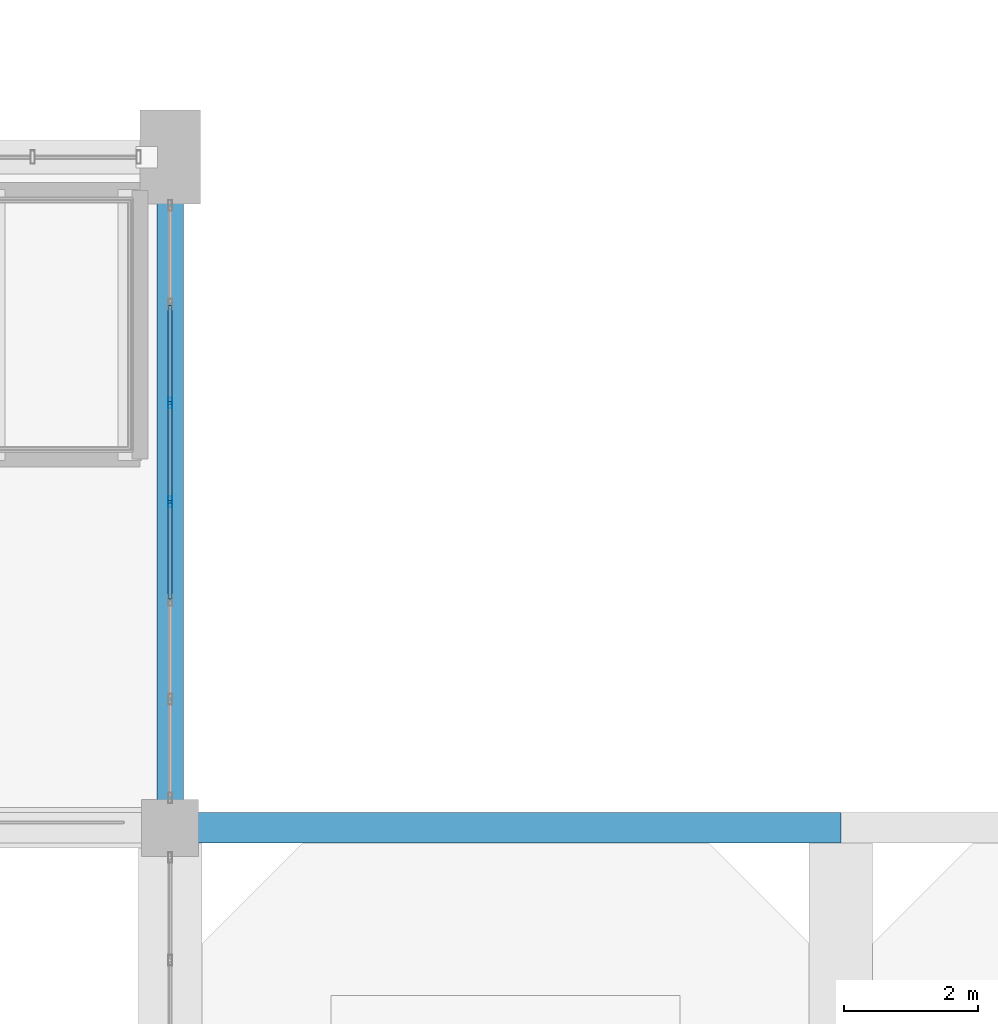
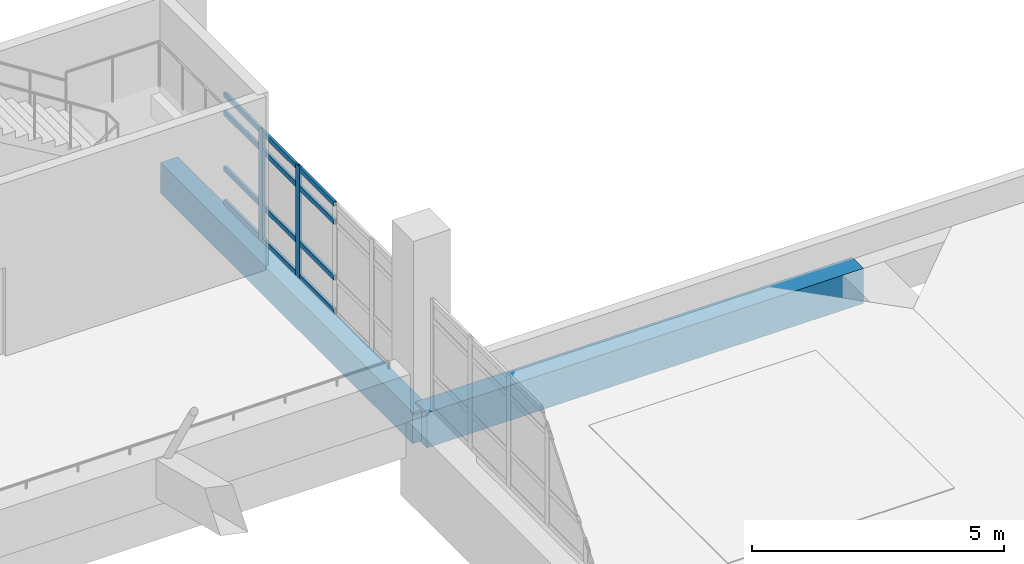
# One storey, part 58 of 161: 14 members, 2 beams, 1 element without a shape of its own.
"""IFC4 building model written with IfcOpenShell, lengths in metres."""

from ifc_helpers import new_model, si_unit, direction, frame, origin, origin_2d, place, context, subcontext, project, spatial, rectangle, hollow_rectangle, extrude, material, layer, layer_set, material_profile, profile_set, type_object, element, aggregate, save


model = new_model("IFC4")

# Units and contexts
model_context = context("Model", 3, precision=1e-05, world=origin(), true_north=direction((0.0, 1.0)))
body_context = subcontext(model_context, "Body", "Model", "MODEL_VIEW")
ifc_project = project(units=[si_unit("LENGTHUNIT", "METRE"), si_unit("AREAUNIT", "SQUARE_METRE"), si_unit("VOLUMEUNIT", "CUBIC_METRE"), si_unit("PLANEANGLEUNIT", "RADIAN"), si_unit("MASSUNIT", "GRAM", prefix="KILO")], contexts=[model_context])

# Site, building, storey
site_placement = place(None, origin())
site = spatial("IfcSite", under=ifc_project, at=site_placement, CompositionType="ELEMENT")
building_placement = place(site_placement, origin())
building = spatial("IfcBuilding", under=site, at=building_placement, Name="Mersad Railyard Sports Hall", CompositionType="ELEMENT")
storey_placement = place(building_placement, frame((0.0, 0.0, 4.800048828125)))
storey = spatial("IfcBuildingStorey", under=building, at=storey_placement, Name="L01", CompositionType="ELEMENT", Elevation=4.800048828125)

# Curtain wall, members
ifc_material_1 = material(Name="Aluminium 6063-T6", Category="aluminium")
ifc_layer = layer(ifc_material_1, 0.159912109375)
ifc_layer_set = layer_set([ifc_layer], Name="Aluminium 6063-T6")
curtain_wall_type = type_object("IfcCurtainWallType", Name="ARC-CW-CW03", PredefinedType="USERDEFINED", material=ifc_layer_set)
curtain_wall_placement = place(storey_placement, origin())
curtain_wall = element("IfcCurtainWall", 1, at=curtain_wall_placement, inside=storey, type_object=curtain_wall_type, Name="Curtain wall CW03-0028", ObjectType="CURTAIN WALL", PredefinedType="USERDEFINED")
ifc_material_profile_1 = material_profile(ifc_material_1, hollow_rectangle(XDim=0.06005859375, YDim=0.159912109375, WallThickness=0.00390625, at=origin_2d()), Name="AL MULLION 60x160x4")
ifc_profile_set_1 = profile_set([ifc_material_profile_1], Name="Aluminium 6063-T6")
member_type_1 = type_object("IfcMemberType", Name="ARC-CW-MUL01", PredefinedType="MULLION", material=ifc_profile_set_1)
member_1_placement = place(storey_placement, frame((91.0, 49.8349609375, -0.02001953125), z_axis=(0.0, 0.0, 1.0), x_axis=(1.0, 0.0, 0.0)))
member_1 = element("IfcMember", 2, at=member_1_placement, type_object=member_type_1, Name="CW03 Mullion 3", PredefinedType="MULLION", context=body_context, shape_type="SweptSolid", body=[
    extrude(hollow_rectangle(XDim=0.06005859375, YDim=0.159912109375, WallThickness=0.00390625, at=origin_2d()), origin(), (0.0, 0.0, 1.0), 2.719970703125),
])
member_2_placement = place(storey_placement, frame((91.0, 48.362548828125, -0.02001953125), z_axis=(0.0, 0.0, 1.0), x_axis=(1.0, 0.0, 0.0)))
member_2 = element("IfcMember", 3, at=member_2_placement, type_object=member_type_1, Name="CW03 Mullion 4", PredefinedType="MULLION", context=body_context, shape_type="SweptSolid", body=[
    extrude(hollow_rectangle(XDim=0.06005859375, YDim=0.159912109375, WallThickness=0.00390625, at=origin_2d()), origin(), (0.0, 0.0, 1.0), 2.719970703125),
])
ifc_material_profile_2 = material_profile(ifc_material_1, hollow_rectangle(XDim=0.06005859375, YDim=0.1201171875, WallThickness=0.00390625, at=origin_2d()), Name="AL TRANSOM 60x120x4")
ifc_profile_set_2 = profile_set([ifc_material_profile_2], Name="Aluminium 6063-T6")
member_type_2 = type_object("IfcMemberType", Name="ARC-CW-TRN01", PredefinedType="USERDEFINED", material=ifc_profile_set_2)
member_3_placement = place(storey_placement, frame((91.0, 51.28759765625, 0.0400390625), z_axis=(0.0, -1.0, 0.0), x_axis=(1.0, 0.0, 0.0)))
member_3 = element("IfcMember", 4, at=member_3_placement, type_object=member_type_2, Name="CW03 Transom 1-2", ObjectType="TRANSOM", PredefinedType="USERDEFINED", context=body_context, shape_type="SweptSolid", body=[
    extrude(hollow_rectangle(XDim=0.06005859375, YDim=0.1201171875, WallThickness=0.00390625, at=origin_2d()), origin(), (0.0, 0.0, 1.0), 1.4326171875),
])
member_4_placement = place(storey_placement, frame((91.0, 49.81494140625, 0.0400390625), z_axis=(0.0, -1.0, 0.0), x_axis=(1.0, 0.0, 0.0)))
member_4 = element("IfcMember", 5, at=member_4_placement, type_object=member_type_2, Name="CW03 Transom 1-3", ObjectType="TRANSOM", PredefinedType="USERDEFINED", context=body_context, shape_type="SweptSolid", body=[
    extrude(hollow_rectangle(XDim=0.06005859375, YDim=0.1201171875, WallThickness=0.00390625, at=origin_2d()), origin(), (0.0, 0.0, 1.0), 1.432373046875),
])
member_5_placement = place(storey_placement, frame((91.0, 48.342529296875, 0.0400390625), z_axis=(0.0, -1.0, 0.0), x_axis=(1.0, 0.0, 0.0)))
member_5 = element("IfcMember", 6, at=member_5_placement, type_object=member_type_2, Name="CW03 Transom 1-4", ObjectType="TRANSOM", PredefinedType="USERDEFINED", context=body_context, shape_type="SweptSolid", body=[
    extrude(hollow_rectangle(XDim=0.06005859375, YDim=0.1201171875, WallThickness=0.00390625, at=origin_2d()), origin(), (0.0, 0.0, 1.0), 1.4326171875),
])
member_6_placement = place(storey_placement, frame((91.0, 51.28759765625, 0.849853515625), z_axis=(0.0, -1.0, 0.0), x_axis=(1.0, 0.0, 0.0)))
member_6 = element("IfcMember", 7, at=member_6_placement, type_object=member_type_2, Name="CW03 Transom 2-2", ObjectType="TRANSOM", PredefinedType="USERDEFINED", context=body_context, shape_type="SweptSolid", body=[
    extrude(hollow_rectangle(XDim=0.06005859375, YDim=0.1201171875, WallThickness=0.00390625, at=origin_2d()), origin(), (0.0, 0.0, 1.0), 1.4326171875),
])
member_7_placement = place(storey_placement, frame((91.0, 49.81494140625, 0.849853515625), z_axis=(0.0, -1.0, 0.0), x_axis=(1.0, 0.0, 0.0)))
member_7 = element("IfcMember", 8, at=member_7_placement, type_object=member_type_2, Name="CW03 Transom 2-3", ObjectType="TRANSOM", PredefinedType="USERDEFINED", context=body_context, shape_type="SweptSolid", body=[
    extrude(hollow_rectangle(XDim=0.06005859375, YDim=0.1201171875, WallThickness=0.00390625, at=origin_2d()), origin(), (0.0, 0.0, 1.0), 1.432373046875),
])
member_8_placement = place(storey_placement, frame((91.0, 48.342529296875, 0.849853515625), z_axis=(0.0, -1.0, 0.0), x_axis=(1.0, 0.0, 0.0)))
member_8 = element("IfcMember", 9, at=member_8_placement, type_object=member_type_2, Name="CW03 Transom 2-4", ObjectType="TRANSOM", PredefinedType="USERDEFINED", context=body_context, shape_type="SweptSolid", body=[
    extrude(hollow_rectangle(XDim=0.06005859375, YDim=0.1201171875, WallThickness=0.00390625, at=origin_2d()), origin(), (0.0, 0.0, 1.0), 1.4326171875),
])
member_9_placement = place(storey_placement, frame((91.0, 51.28759765625, 2.199951171875), z_axis=(0.0, -1.0, 0.0), x_axis=(1.0, 0.0, 0.0)))
member_9 = element("IfcMember", 10, at=member_9_placement, type_object=member_type_2, Name="CW03 Transom 3-2", ObjectType="TRANSOM", PredefinedType="USERDEFINED", context=body_context, shape_type="SweptSolid", body=[
    extrude(hollow_rectangle(XDim=0.06005859375, YDim=0.1201171875, WallThickness=0.00390625, at=origin_2d()), origin(), (0.0, 0.0, 1.0), 1.4326171875),
])
member_10_placement = place(storey_placement, frame((91.0, 49.81494140625, 2.199951171875), z_axis=(0.0, -1.0, 0.0), x_axis=(1.0, 0.0, 0.0)))
member_10 = element("IfcMember", 11, at=member_10_placement, type_object=member_type_2, Name="CW03 Transom 3-3", ObjectType="TRANSOM", PredefinedType="USERDEFINED", context=body_context, shape_type="SweptSolid", body=[
    extrude(hollow_rectangle(XDim=0.06005859375, YDim=0.1201171875, WallThickness=0.00390625, at=origin_2d()), origin(), (0.0, 0.0, 1.0), 1.432373046875),
])
member_11_placement = place(storey_placement, frame((91.0, 48.342529296875, 2.199951171875), z_axis=(0.0, -1.0, 0.0), x_axis=(1.0, 0.0, 0.0)))
member_11 = element("IfcMember", 12, at=member_11_placement, type_object=member_type_2, Name="CW03 Transom 3-4", ObjectType="TRANSOM", PredefinedType="USERDEFINED", context=body_context, shape_type="SweptSolid", body=[
    extrude(hollow_rectangle(XDim=0.06005859375, YDim=0.1201171875, WallThickness=0.00390625, at=origin_2d()), origin(), (0.0, 0.0, 1.0), 1.4326171875),
])
member_12_placement = place(storey_placement, frame((91.0, 51.28759765625, 2.639892578125), z_axis=(0.0, -1.0, 0.0), x_axis=(1.0, 0.0, 0.0)))
member_12 = element("IfcMember", 13, at=member_12_placement, type_object=member_type_2, Name="CW03 Transom 4-2", ObjectType="TRANSOM", PredefinedType="USERDEFINED", context=body_context, shape_type="SweptSolid", body=[
    extrude(hollow_rectangle(XDim=0.06005859375, YDim=0.1201171875, WallThickness=0.00390625, at=origin_2d()), origin(), (0.0, 0.0, 1.0), 1.4326171875),
])
member_13_placement = place(storey_placement, frame((91.0, 49.81494140625, 2.639892578125), z_axis=(0.0, -1.0, 0.0), x_axis=(1.0, 0.0, 0.0)))
member_13 = element("IfcMember", 14, at=member_13_placement, type_object=member_type_2, Name="CW03 Transom 4-3", ObjectType="TRANSOM", PredefinedType="USERDEFINED", context=body_context, shape_type="SweptSolid", body=[
    extrude(hollow_rectangle(XDim=0.06005859375, YDim=0.1201171875, WallThickness=0.00390625, at=origin_2d()), origin(), (0.0, 0.0, 1.0), 1.432373046875),
])
member_14_placement = place(storey_placement, frame((91.0, 48.342529296875, 2.639892578125), z_axis=(0.0, -1.0, 0.0), x_axis=(1.0, 0.0, 0.0)))
member_14 = element("IfcMember", 15, at=member_14_placement, type_object=member_type_2, Name="CW03 Transom 4-4", ObjectType="TRANSOM", PredefinedType="USERDEFINED", context=body_context, shape_type="SweptSolid", body=[
    extrude(hollow_rectangle(XDim=0.06005859375, YDim=0.1201171875, WallThickness=0.00390625, at=origin_2d()), origin(), (0.0, 0.0, 1.0), 1.4326171875),
])
aggregate(curtain_wall, [member_1, member_2, member_3, member_4, member_5, member_6, member_7, member_8, member_9, member_10, member_11, member_12, member_13, member_14])

# Beams
ifc_material_2 = material(Name="Concrete C40/50", Category="concrete")
ifc_material_profile_3 = material_profile(ifc_material_2, rectangle(XDim=0.39990234375, YDim=0.75, at=origin_2d()), Name="RC 400x750")
ifc_profile_set_3 = profile_set([ifc_material_profile_3], Name="Concrete C40/50")
beam_type_1 = type_object("IfcBeamType", Name="STR-BM-B01", PredefinedType="BEAM", material=ifc_profile_set_3)
beam_1_placement = place(storey_placement, frame((91.0, 43.5, -0.66015625), z_axis=(0.0, 1.0, 0.0), x_axis=(-1.0, 0.0, 0.0)))
element("IfcBeam", 16, at=beam_1_placement, inside=storey, type_object=beam_type_1, Name="Beam B01-0323", PredefinedType="BEAM", context=body_context, shape_type="SweptSolid", body=[
    extrude(rectangle(XDim=0.39990234375, YDim=0.75, at=origin_2d()), origin(), (0.0, 0.0, 1.0), 10.0),
])
ifc_material_profile_4 = material_profile(ifc_material_2, rectangle(XDim=0.449951171875, YDim=0.85009765625, at=origin_2d()), Name="RC 450x850")
ifc_profile_set_4 = profile_set([ifc_material_profile_4], Name="Concrete C40/50")
beam_type_2 = type_object("IfcBeamType", Name="STR-BM-B02", PredefinedType="BEAM", material=ifc_profile_set_4)
beam_2_placement = place(storey_placement, frame((91.0, 43.5, -0.64501953125), z_axis=(1.0, 0.0, 0.0), x_axis=(0.0, 1.0, 0.0)))
element("IfcBeam", 17, at=beam_2_placement, inside=storey, type_object=beam_type_2, Name="Beam B02-0601", PredefinedType="BEAM", context=body_context, shape_type="SweptSolid", body=[
    extrude(rectangle(XDim=0.449951171875, YDim=0.85009765625, at=origin_2d()), origin(), (0.0, 0.0, 1.0), 10.0),
])

save(model, "model.ifc")
